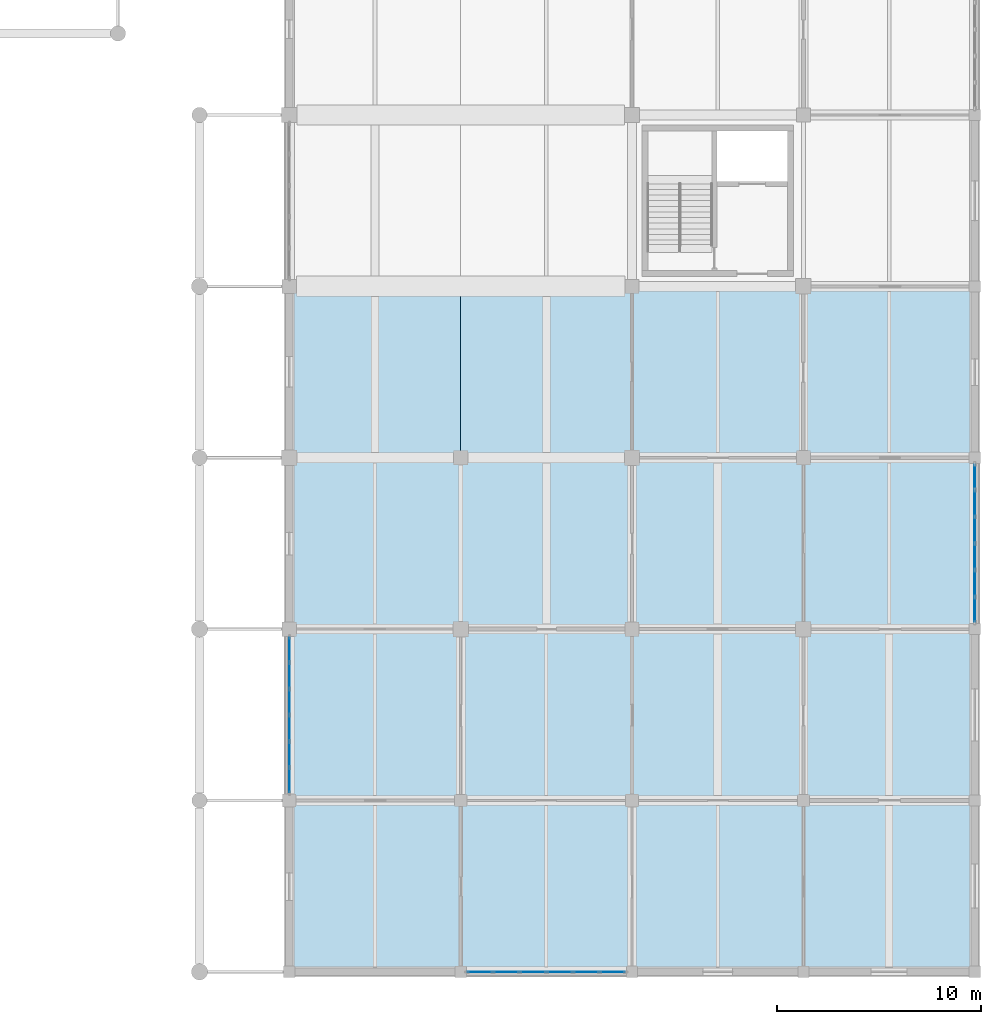
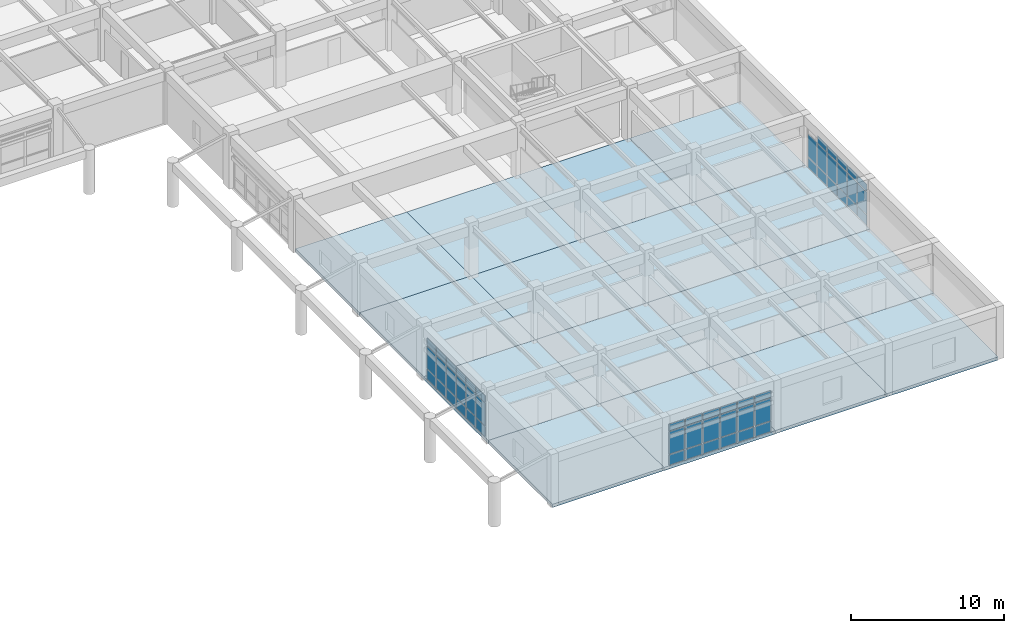
# One storey, part 73 of 99: 53 plates, 16 slabs, 3 elements without a shape of their own.
"""IFC4 building model written with IfcOpenShell, lengths in metres."""

import ifcopenshell
import ifcopenshell.guid

model = None  # the IFC model being written
_history = None  # IfcOwnerHistory: only IFC2X3 demands one
_inside = {}  # id of a spatial element -> (the spatial element, [elements in it])
_under = {}  # id of a project, library or spatial element -> (it, [spatial elements below it])
_declared = {}  # id of a project -> (the project, [libraries it declares])
_typed = {}  # id of a type object -> (the type object, [elements of that type])
_made_of = {}  # id of a material, layer set ... -> (it, [elements and type objects made of it])


def new_model(schema):
    """Start an empty IFC model of exactly this schema.

    Asked for "IFC4X3", IfcOpenShell would pick the latest addendum, in which some entities
    have other attributes; the version numbers below select the first issue.
    IFC2X3 requires an IfcOwnerHistory on every rooted entity: one is made here for all.
    """
    global model, _history
    if schema == "IFC4X3":
        model = ifcopenshell.file(schema_version=(4, 3, 0, 0))
    else:
        model = ifcopenshell.file(schema=schema)
    _inside.clear()
    _under.clear()
    _declared.clear()
    _typed.clear()
    _made_of.clear()
    _history = None
    if model.schema == "IFC2X3":
        org = make("IfcOrganization", Name="unknown")
        user = make(
            "IfcPersonAndOrganization",
            ThePerson=make("IfcPerson", FamilyName="unknown"),
            TheOrganization=org,
        )
        app = make(
            "IfcApplication",
            ApplicationDeveloper=org,
            Version="unknown",
            ApplicationFullName="unknown",
            ApplicationIdentifier="unknown",
        )
        _history = make(
            "IfcOwnerHistory",
            OwningUser=user,
            OwningApplication=app,
            ChangeAction="ADDED",
            CreationDate=0,
        )
    return model


def make(cls, **values):
    """One entity of the class cls with the attributes given. An attribute that is None is left unset."""
    return model.create_entity(
        cls, **{name: value for name, value in values.items() if value is not None}
    )


def rooted(cls, **values):
    """An entity with a GlobalId (a new one), such as an element, a storey or a relation."""
    return make(cls, GlobalId=ifcopenshell.guid.new(), OwnerHistory=_history, **values)


def si_unit(unit_type, name, prefix=None):
    """IfcSIUnit, for example si_unit("LENGTHUNIT", "METRE", prefix="MILLI")."""
    return make("IfcSIUnit", UnitType=unit_type, Prefix=prefix, Name=name)


def assignment(units):
    """IfcUnitAssignment: the units of a project."""
    return None if units is None else make("IfcUnitAssignment", Units=units)


def point(xyz):
    """IfcCartesianPoint."""
    return None if xyz is None else make("IfcCartesianPoint", Coordinates=xyz)


def direction(xyz):
    """IfcDirection."""
    return None if xyz is None else make("IfcDirection", DirectionRatios=xyz)


def frame(location, z_axis=None, x_axis=None):
    """IfcAxis2Placement3D, a coordinate frame: its origin and axes. An axis left out is left unset."""
    return make(
        "IfcAxis2Placement3D",
        Location=point(location),
        Axis=direction(z_axis),
        RefDirection=direction(x_axis),
    )


def frame_2d(location, x_axis=None):
    """IfcAxis2Placement2D, a coordinate frame in the plane: its origin and x axis."""
    return make(
        "IfcAxis2Placement2D", Location=point(location), RefDirection=direction(x_axis)
    )


def origin():
    """The frame at (0, 0, 0) with its axes left unset."""
    return frame((0.0, 0.0, 0.0))


def origin_2d():
    """The frame at (0, 0) in the plane with its x axis left unset."""
    return frame_2d((0.0, 0.0))


def place(relative_to, where):
    """IfcLocalPlacement: puts the frame where relative to a parent placement (None: the world)."""
    return make(
        "IfcLocalPlacement", PlacementRelTo=relative_to, RelativePlacement=where
    )


def context(
    kind, dimensions, precision=None, world=None, true_north=None, identifier=None
):
    """IfcGeometricRepresentationContext, for example the 3D "Model" context."""
    return make(
        "IfcGeometricRepresentationContext",
        ContextIdentifier=identifier,
        ContextType=kind,
        CoordinateSpaceDimension=dimensions,
        Precision=precision,
        WorldCoordinateSystem=world,
        TrueNorth=true_north,
    )


def subcontext(parent, identifier, kind, view, scale=None):
    """IfcGeometricRepresentationSubContext, for example "Body" below "Model"."""
    return make(
        "IfcGeometricRepresentationSubContext",
        ContextIdentifier=identifier,
        ContextType=kind,
        ParentContext=parent,
        TargetScale=scale,
        TargetView=view,
    )


def project(units=None, contexts=None):
    """IfcProject with its units and contexts."""
    return rooted(
        "IfcProject",
        Name="project",
        RepresentationContexts=contexts,
        UnitsInContext=assignment(units),
    )


def spatial(cls, under=None, at=None, **own):
    """A site, building, storey or space (cls), placed at a placement, below another one or the project."""
    s = rooted(cls, ObjectPlacement=at, **own)
    if under is not None:
        _under.setdefault(under.id(), (under, []))[1].append(s)
    return s


def polyline(points):
    """IfcPolyline through the points."""
    return make("IfcPolyline", Points=[point(p) for p in points])


def profile(cls, at=None, kind="AREA", **sizes):
    """A parametric profile (cls). Its sizes go by their IFC names, for example OverallWidth=200.0."""
    return make(cls, ProfileType=kind, Position=at, **sizes)


def rectangle(**sizes):
    """IfcRectangleProfileDef."""
    return profile("IfcRectangleProfileDef", **sizes)


def outline(outer, holes=None, kind="AREA"):
    """IfcArbitraryClosedProfileDef: a profile drawn as a closed curve; with holes, ...WithVoids."""
    if holes is None:
        return make("IfcArbitraryClosedProfileDef", ProfileType=kind, OuterCurve=outer)
    return make(
        "IfcArbitraryProfileDefWithVoids",
        ProfileType=kind,
        OuterCurve=outer,
        InnerCurves=holes,
    )


def extrude(swept, where, along, depth):
    """IfcExtrudedAreaSolid: the profile swept, set in the frame where, extruded along a direction by depth."""
    return make(
        "IfcExtrudedAreaSolid",
        SweptArea=swept,
        Position=where,
        ExtrudedDirection=direction(along),
        Depth=depth,
    )


def shape(context_of_items, identifier, shape_type, items):
    """IfcShapeRepresentation: the items that make up one representation, for example the "Body"."""
    return make(
        "IfcShapeRepresentation",
        ContextOfItems=context_of_items,
        RepresentationIdentifier=identifier,
        RepresentationType=shape_type,
        Items=items,
    )


def material(Name=None, Category=None):
    """IfcMaterial."""
    return make("IfcMaterial", Name=Name, Category=Category)


def layer(
    of_material, thickness, ventilated=None, Name=None, Category=None, Priority=None
):
    """IfcMaterialLayer: one layer of a wall or slab, of a material (None: an air gap)."""
    return make(
        "IfcMaterialLayer",
        Material=of_material,
        LayerThickness=thickness,
        IsVentilated=ventilated,
        Name=Name,
        Category=Category,
        Priority=Priority,
    )


def layer_set(layers, Name=None):
    """IfcMaterialLayerSet."""
    return make("IfcMaterialLayerSet", MaterialLayers=layers, LayerSetName=Name)


def made_of(thing, what):
    """Note that an element or type object is made of a material, layer set ...; save() writes the relation."""
    if what is not None:
        _made_of.setdefault(what.id(), (what, []))[1].append(thing)
    return thing


def type_object(cls, material=None, **own):
    """A type object (cls), such as IfcWallType, which elements share."""
    return made_of(rooted(cls, **own), material)


def element(
    cls,
    number,
    at=None,
    inside=None,
    cuts=None,
    type_object=None,
    material=None,
    context=None,
    identifier="Body",
    shape_type=None,
    held_by="IfcProductDefinitionShape",
    body=None,
    shapes=None,
    **own,
):
    """One element of the class cls, such as IfcWall. Its Tag is "e" and its number.

    at: its placement. inside: the storey or other place that contains it. cuts: it is an
    opening in that element (IfcRelVoidsElement). A single representation is given by context,
    identifier, shape_type and body (its items); several are given by shapes. held_by: the class
    of the entity that holds the representations. save() writes the other relations.
    """
    e = rooted(cls, Tag="e%d" % number, ObjectPlacement=at, **own)
    if body is not None:
        shapes = [shape(context, identifier, shape_type, body)]
    if shapes is not None:
        e.Representation = make(held_by, Representations=shapes)
    if inside is not None:
        _inside.setdefault(inside.id(), (inside, []))[1].append(e)
    if cuts is not None:
        rooted(
            "IfcRelVoidsElement", RelatingBuildingElement=cuts, RelatedOpeningElement=e
        )
    if type_object is not None:
        _typed.setdefault(type_object.id(), (type_object, []))[1].append(e)
    return made_of(e, material)


def aggregate(whole, parts):
    """IfcRelAggregates: a whole, such as a stair, and the parts it consists of."""
    return rooted("IfcRelAggregates", RelatingObject=whole, RelatedObjects=parts)


def save(model, path):
    """Write the relations noted so far, then the file.

    IfcRelAggregates (storeys below a building ...), IfcRelContainedInSpatialStructure (elements
    in a storey), IfcRelDefinesByType, IfcRelAssociatesMaterial and IfcRelDeclares: one each for
    every whole, place, type object, material and project.
    """
    for whole, parts in _under.values():
        aggregate(whole, parts)
    for where, things in _inside.values():
        rooted(
            "IfcRelContainedInSpatialStructure",
            RelatedElements=things,
            RelatingStructure=where,
        )
    for kind, things in _typed.values():
        rooted("IfcRelDefinesByType", RelatedObjects=things, RelatingType=kind)
    for what, things in _made_of.values():
        rooted("IfcRelAssociatesMaterial", RelatedObjects=things, RelatingMaterial=what)
    for by, libraries in _declared.values():
        rooted("IfcRelDeclares", RelatingContext=by, RelatedDefinitions=libraries)
    model.write(path)


model = new_model("IFC4")

# Units and contexts
model_context = context("Model", 3, precision=1e-05, world=origin(), true_north=direction((0.0, 1.0)))
body_context = subcontext(model_context, "Body", "Model", "MODEL_VIEW")
ifc_project = project(units=[si_unit("LENGTHUNIT", "METRE"), si_unit("AREAUNIT", "SQUARE_METRE"), si_unit("VOLUMEUNIT", "CUBIC_METRE"), si_unit("PLANEANGLEUNIT", "RADIAN"), si_unit("MASSUNIT", "GRAM", prefix="KILO")], contexts=[model_context])

# Site, building, storey
site_placement = place(None, origin())
site = spatial("IfcSite", under=ifc_project, at=site_placement, CompositionType="ELEMENT")
building_placement = place(site_placement, origin())
building = spatial("IfcBuilding", under=site, at=building_placement, Name="Porcellanite Civic Hall", CompositionType="ELEMENT")
storey_placement = place(building_placement, frame((0.0, 0.0, 5.760009765625)))
storey = spatial("IfcBuildingStorey", under=building, at=storey_placement, Name="L01", CompositionType="ELEMENT", Elevation=5.760009765625)

# Curtain wall, plates
ifc_material_1 = material(Name="Anodised aluminium and solar laminated glass", Category="aluminium")
ifc_layer_1 = layer(ifc_material_1, 0.179931640625)
ifc_layer_set_1 = layer_set([ifc_layer_1], Name="Anodised aluminium and solar laminated glass")
curtain_wall_type = type_object("IfcCurtainWallType", Name="CW-SYS02", PredefinedType="NOTDEFINED", material=ifc_layer_set_1)
curtain_wall_1_placement = place(storey_placement, origin())
curtain_wall_1 = element("IfcCurtainWall", 1, at=curtain_wall_1_placement, inside=storey, type_object=curtain_wall_type, Name="Curtain wall CW-119", PredefinedType="NOTDEFINED")
ifc_material_2 = material(Name="Cyclone laminated solar-control low-E glass", Category="glass")
ifc_layer_2 = layer(ifc_material_2, 0.02587890625)
ifc_layer_set_2 = layer_set([ifc_layer_2], Name="Cyclone laminated solar-control low-E glass")
plate_type = type_object("IfcPlateType", Name="CWP-02", PredefinedType="CURTAIN_PANEL", material=ifc_layer_set_2)
plate_1_placement = place(storey_placement, frame((142.800048828125, 9.388427734375, 0.06494140625), z_axis=(0.0, 0.0, 1.0), x_axis=(0.0, 1.0, 0.0)))
plate_1 = element("IfcPlate", 2, at=plate_1_placement, type_object=plate_type, Name="CW-119 panel 1.1", PredefinedType="CURTAIN_PANEL", context=body_context, shape_type="SweptSolid", body=[
    extrude(rectangle(XDim=1.174560546875, YDim=0.02587890625, at=origin_2d()), origin(), (0.0, 0.0, 1.0), 0.802490234375),
])
plate_2_placement = place(storey_placement, frame((142.800048828125, 9.388427734375, 0.9326171875), z_axis=(0.0, 0.0, 1.0), x_axis=(0.0, 1.0, 0.0)))
plate_2 = element("IfcPlate", 3, at=plate_2_placement, type_object=plate_type, Name="CW-119 panel 1.2", PredefinedType="CURTAIN_PANEL", context=body_context, shape_type="SweptSolid", body=[
    extrude(rectangle(XDim=1.174560546875, YDim=0.02587890625, at=origin_2d()), origin(), (0.0, 0.0, 1.0), 1.784912109375),
])
plate_3_placement = place(storey_placement, frame((142.800048828125, 9.388427734375, 2.78271484375), z_axis=(0.0, 0.0, 1.0), x_axis=(0.0, 1.0, 0.0)))
plate_3 = element("IfcPlate", 4, at=plate_3_placement, type_object=plate_type, Name="CW-119 panel 1.3", PredefinedType="CURTAIN_PANEL", context=body_context, shape_type="SweptSolid", body=[
    extrude(rectangle(XDim=1.174560546875, YDim=0.02587890625, at=origin_2d()), origin(), (0.0, 0.0, 1.0), 0.552490234375),
])
plate_4_placement = place(storey_placement, frame((142.800048828125, 10.65673828125, 0.06494140625), z_axis=(0.0, 0.0, 1.0), x_axis=(0.0, 1.0, 0.0)))
plate_4 = element("IfcPlate", 5, at=plate_4_placement, type_object=plate_type, Name="CW-119 panel 2.1", PredefinedType="CURTAIN_PANEL", context=body_context, shape_type="SweptSolid", body=[
    extrude(rectangle(XDim=1.212158203125, YDim=0.02587890625, at=origin_2d()), origin(), (0.0, 0.0, 1.0), 0.802490234375),
])
plate_5_placement = place(storey_placement, frame((142.800048828125, 10.65673828125, 0.9326171875), z_axis=(0.0, 0.0, 1.0), x_axis=(0.0, 1.0, 0.0)))
plate_5 = element("IfcPlate", 6, at=plate_5_placement, type_object=plate_type, Name="CW-119 panel 2.2", PredefinedType="CURTAIN_PANEL", context=body_context, shape_type="SweptSolid", body=[
    extrude(rectangle(XDim=1.212158203125, YDim=0.02587890625, at=origin_2d()), origin(), (0.0, 0.0, 1.0), 1.784912109375),
])
plate_6_placement = place(storey_placement, frame((142.800048828125, 10.65673828125, 2.78271484375), z_axis=(0.0, 0.0, 1.0), x_axis=(0.0, 1.0, 0.0)))
plate_6 = element("IfcPlate", 7, at=plate_6_placement, type_object=plate_type, Name="CW-119 panel 2.3", PredefinedType="CURTAIN_PANEL", context=body_context, shape_type="SweptSolid", body=[
    extrude(rectangle(XDim=1.212158203125, YDim=0.02587890625, at=origin_2d()), origin(), (0.0, 0.0, 1.0), 0.552490234375),
])
plate_7_placement = place(storey_placement, frame((142.800048828125, 11.94384765625, 0.06494140625), z_axis=(0.0, 0.0, 1.0), x_axis=(0.0, 1.0, 0.0)))
plate_7 = element("IfcPlate", 8, at=plate_7_placement, type_object=plate_type, Name="CW-119 panel 3.1", PredefinedType="CURTAIN_PANEL", context=body_context, shape_type="SweptSolid", body=[
    extrude(rectangle(XDim=1.212158203125, YDim=0.02587890625, at=origin_2d()), origin(), (0.0, 0.0, 1.0), 0.802490234375),
])
plate_8_placement = place(storey_placement, frame((142.800048828125, 11.94384765625, 0.9326171875), z_axis=(0.0, 0.0, 1.0), x_axis=(0.0, 1.0, 0.0)))
plate_8 = element("IfcPlate", 9, at=plate_8_placement, type_object=plate_type, Name="CW-119 panel 3.2", PredefinedType="CURTAIN_PANEL", context=body_context, shape_type="SweptSolid", body=[
    extrude(rectangle(XDim=1.212158203125, YDim=0.02587890625, at=origin_2d()), origin(), (0.0, 0.0, 1.0), 1.784912109375),
])
plate_9_placement = place(storey_placement, frame((142.800048828125, 11.94384765625, 2.78271484375), z_axis=(0.0, 0.0, 1.0), x_axis=(0.0, 1.0, 0.0)))
plate_9 = element("IfcPlate", 10, at=plate_9_placement, type_object=plate_type, Name="CW-119 panel 3.3", PredefinedType="CURTAIN_PANEL", context=body_context, shape_type="SweptSolid", body=[
    extrude(rectangle(XDim=1.212158203125, YDim=0.02587890625, at=origin_2d()), origin(), (0.0, 0.0, 1.0), 0.552490234375),
])
plate_10_placement = place(storey_placement, frame((142.800048828125, 13.231201171875, 0.06494140625), z_axis=(0.0, 0.0, 1.0), x_axis=(0.0, 1.0, 0.0)))
plate_10 = element("IfcPlate", 11, at=plate_10_placement, type_object=plate_type, Name="CW-119 panel 4.1", PredefinedType="CURTAIN_PANEL", context=body_context, shape_type="SweptSolid", body=[
    extrude(rectangle(XDim=1.212158203125, YDim=0.02587890625, at=origin_2d()), origin(), (0.0, 0.0, 1.0), 0.802490234375),
])
plate_11_placement = place(storey_placement, frame((142.800048828125, 13.231201171875, 0.9326171875), z_axis=(0.0, 0.0, 1.0), x_axis=(0.0, 1.0, 0.0)))
plate_11 = element("IfcPlate", 12, at=plate_11_placement, type_object=plate_type, Name="CW-119 panel 4.2", PredefinedType="CURTAIN_PANEL", context=body_context, shape_type="SweptSolid", body=[
    extrude(rectangle(XDim=1.212158203125, YDim=0.02587890625, at=origin_2d()), origin(), (0.0, 0.0, 1.0), 1.784912109375),
])
plate_12_placement = place(storey_placement, frame((142.800048828125, 13.231201171875, 2.78271484375), z_axis=(0.0, 0.0, 1.0), x_axis=(0.0, 1.0, 0.0)))
plate_12 = element("IfcPlate", 13, at=plate_12_placement, type_object=plate_type, Name="CW-119 panel 4.3", PredefinedType="CURTAIN_PANEL", context=body_context, shape_type="SweptSolid", body=[
    extrude(rectangle(XDim=1.212158203125, YDim=0.02587890625, at=origin_2d()), origin(), (0.0, 0.0, 1.0), 0.552490234375),
])
plate_13_placement = place(storey_placement, frame((142.800048828125, 14.518310546875, 0.06494140625), z_axis=(0.0, 0.0, 1.0), x_axis=(0.0, 1.0, 0.0)))
plate_13 = element("IfcPlate", 14, at=plate_13_placement, type_object=plate_type, Name="CW-119 panel 5.1", PredefinedType="CURTAIN_PANEL", context=body_context, shape_type="SweptSolid", body=[
    extrude(rectangle(XDim=1.212158203125, YDim=0.02587890625, at=origin_2d()), origin(), (0.0, 0.0, 1.0), 0.802490234375),
])
plate_14_placement = place(storey_placement, frame((142.800048828125, 14.518310546875, 0.9326171875), z_axis=(0.0, 0.0, 1.0), x_axis=(0.0, 1.0, 0.0)))
plate_14 = element("IfcPlate", 15, at=plate_14_placement, type_object=plate_type, Name="CW-119 panel 5.2", PredefinedType="CURTAIN_PANEL", context=body_context, shape_type="SweptSolid", body=[
    extrude(rectangle(XDim=1.212158203125, YDim=0.02587890625, at=origin_2d()), origin(), (0.0, 0.0, 1.0), 1.784912109375),
])
plate_15_placement = place(storey_placement, frame((142.800048828125, 14.518310546875, 2.78271484375), z_axis=(0.0, 0.0, 1.0), x_axis=(0.0, 1.0, 0.0)))
plate_15 = element("IfcPlate", 16, at=plate_15_placement, type_object=plate_type, Name="CW-119 panel 5.3", PredefinedType="CURTAIN_PANEL", context=body_context, shape_type="SweptSolid", body=[
    extrude(rectangle(XDim=1.212158203125, YDim=0.02587890625, at=origin_2d()), origin(), (0.0, 0.0, 1.0), 0.552490234375),
])
plate_16_placement = place(storey_placement, frame((142.800048828125, 15.78662109375, 0.06494140625), z_axis=(0.0, 0.0, 1.0), x_axis=(0.0, 1.0, 0.0)))
plate_16 = element("IfcPlate", 17, at=plate_16_placement, type_object=plate_type, Name="CW-119 panel 6.1", PredefinedType="CURTAIN_PANEL", context=body_context, shape_type="SweptSolid", body=[
    extrude(rectangle(XDim=1.174560546875, YDim=0.02587890625, at=origin_2d()), origin(), (0.0, 0.0, 1.0), 0.802490234375),
])
plate_17_placement = place(storey_placement, frame((142.800048828125, 15.78662109375, 0.9326171875), z_axis=(0.0, 0.0, 1.0), x_axis=(0.0, 1.0, 0.0)))
plate_17 = element("IfcPlate", 18, at=plate_17_placement, type_object=plate_type, Name="CW-119 panel 6.2", PredefinedType="CURTAIN_PANEL", context=body_context, shape_type="SweptSolid", body=[
    extrude(rectangle(XDim=1.174560546875, YDim=0.02587890625, at=origin_2d()), origin(), (0.0, 0.0, 1.0), 1.784912109375),
])
plate_18_placement = place(storey_placement, frame((142.800048828125, 15.78662109375, 2.78271484375), z_axis=(0.0, 0.0, 1.0), x_axis=(0.0, 1.0, 0.0)))
plate_18 = element("IfcPlate", 19, at=plate_18_placement, type_object=plate_type, Name="CW-119 panel 6.3", PredefinedType="CURTAIN_PANEL", context=body_context, shape_type="SweptSolid", body=[
    extrude(rectangle(XDim=1.174560546875, YDim=0.02587890625, at=origin_2d()), origin(), (0.0, 0.0, 1.0), 0.552490234375),
])
aggregate(curtain_wall_1, [plate_1, plate_2, plate_3, plate_4, plate_5, plate_6, plate_7, plate_8, plate_9, plate_10, plate_11, plate_12, plate_13, plate_14, plate_15, plate_16, plate_17, plate_18])

curtain_wall_2_placement = place(storey_placement, origin())
curtain_wall_2 = element("IfcCurtainWall", 20, at=curtain_wall_2_placement, inside=storey, type_object=curtain_wall_type, Name="Curtain wall CW-123", PredefinedType="NOTDEFINED")
plate_19_placement = place(storey_placement, frame((158.6513671875, 0.0, 0.06494140625), z_axis=(0.0, 0.0, 1.0), x_axis=(-1.0, 0.0, 0.0)))
plate_19 = element("IfcPlate", 21, at=plate_19_placement, type_object=plate_type, Name="CW-123 panel 1.1", PredefinedType="CURTAIN_PANEL", context=body_context, shape_type="SweptSolid", body=[
    extrude(rectangle(XDim=1.195556640625, YDim=0.02587890625, at=origin_2d()), origin(), (0.0, 0.0, 1.0), 0.802490234375),
])
plate_20_placement = place(storey_placement, frame((158.6513671875, 0.0, 0.9326171875), z_axis=(0.0, 0.0, 1.0), x_axis=(-1.0, 0.0, 0.0)))
plate_20 = element("IfcPlate", 22, at=plate_20_placement, type_object=plate_type, Name="CW-123 panel 1.2", PredefinedType="CURTAIN_PANEL", context=body_context, shape_type="SweptSolid", body=[
    extrude(rectangle(XDim=1.195556640625, YDim=0.02587890625, at=origin_2d()), origin(), (0.0, 0.0, 1.0), 1.784912109375),
])
plate_21_placement = place(storey_placement, frame((158.6513671875, 0.0, 2.78271484375), z_axis=(0.0, 0.0, 1.0), x_axis=(-1.0, 0.0, 0.0)))
plate_21 = element("IfcPlate", 23, at=plate_21_placement, type_object=plate_type, Name="CW-123 panel 1.3", PredefinedType="CURTAIN_PANEL", context=body_context, shape_type="SweptSolid", body=[
    extrude(rectangle(XDim=1.195556640625, YDim=0.02587890625, at=origin_2d()), origin(), (0.0, 0.0, 1.0), 0.552490234375),
])
plate_22_placement = place(storey_placement, frame((157.362060546875, 0.0, 0.06494140625), z_axis=(0.0, 0.0, 1.0), x_axis=(-1.0, 0.0, 0.0)))
plate_22 = element("IfcPlate", 24, at=plate_22_placement, type_object=plate_type, Name="CW-123 panel 2.1", PredefinedType="CURTAIN_PANEL", context=body_context, shape_type="SweptSolid", body=[
    extrude(rectangle(XDim=1.23291015625, YDim=0.02587890625, at=origin_2d()), origin(), (0.0, 0.0, 1.0), 0.802490234375),
])
plate_23_placement = place(storey_placement, frame((157.362060546875, 0.0, 0.9326171875), z_axis=(0.0, 0.0, 1.0), x_axis=(-1.0, 0.0, 0.0)))
plate_23 = element("IfcPlate", 25, at=plate_23_placement, type_object=plate_type, Name="CW-123 panel 2.2", PredefinedType="CURTAIN_PANEL", context=body_context, shape_type="SweptSolid", body=[
    extrude(rectangle(XDim=1.23291015625, YDim=0.02587890625, at=origin_2d()), origin(), (0.0, 0.0, 1.0), 1.784912109375),
])
plate_24_placement = place(storey_placement, frame((157.362060546875, 0.0, 2.78271484375), z_axis=(0.0, 0.0, 1.0), x_axis=(-1.0, 0.0, 0.0)))
plate_24 = element("IfcPlate", 26, at=plate_24_placement, type_object=plate_type, Name="CW-123 panel 2.3", PredefinedType="CURTAIN_PANEL", context=body_context, shape_type="SweptSolid", body=[
    extrude(rectangle(XDim=1.23291015625, YDim=0.02587890625, at=origin_2d()), origin(), (0.0, 0.0, 1.0), 0.552490234375),
])
plate_25_placement = place(storey_placement, frame((156.053955078125, 0.0, 0.06494140625), z_axis=(0.0, 0.0, 1.0), x_axis=(-1.0, 0.0, 0.0)))
plate_25 = element("IfcPlate", 27, at=plate_25_placement, type_object=plate_type, Name="CW-123 panel 3.1", PredefinedType="CURTAIN_PANEL", context=body_context, shape_type="SweptSolid", body=[
    extrude(rectangle(XDim=1.23291015625, YDim=0.02587890625, at=origin_2d()), origin(), (0.0, 0.0, 1.0), 0.802490234375),
])
plate_26_placement = place(storey_placement, frame((156.053955078125, 0.0, 0.9326171875), z_axis=(0.0, 0.0, 1.0), x_axis=(-1.0, 0.0, 0.0)))
plate_26 = element("IfcPlate", 28, at=plate_26_placement, type_object=plate_type, Name="CW-123 panel 3.2", PredefinedType="CURTAIN_PANEL", context=body_context, shape_type="SweptSolid", body=[
    extrude(rectangle(XDim=1.23291015625, YDim=0.02587890625, at=origin_2d()), origin(), (0.0, 0.0, 1.0), 1.784912109375),
])
plate_27_placement = place(storey_placement, frame((156.053955078125, 0.0, 2.78271484375), z_axis=(0.0, 0.0, 1.0), x_axis=(-1.0, 0.0, 0.0)))
plate_27 = element("IfcPlate", 29, at=plate_27_placement, type_object=plate_type, Name="CW-123 panel 3.3", PredefinedType="CURTAIN_PANEL", context=body_context, shape_type="SweptSolid", body=[
    extrude(rectangle(XDim=1.23291015625, YDim=0.02587890625, at=origin_2d()), origin(), (0.0, 0.0, 1.0), 0.552490234375),
])
plate_28_placement = place(storey_placement, frame((154.74609375, 0.0, 0.06494140625), z_axis=(0.0, 0.0, 1.0), x_axis=(-1.0, 0.0, 0.0)))
plate_28 = element("IfcPlate", 30, at=plate_28_placement, type_object=plate_type, Name="CW-123 panel 4.1", PredefinedType="CURTAIN_PANEL", context=body_context, shape_type="SweptSolid", body=[
    extrude(rectangle(XDim=1.23291015625, YDim=0.02587890625, at=origin_2d()), origin(), (0.0, 0.0, 1.0), 0.802490234375),
])
plate_29_placement = place(storey_placement, frame((154.74609375, 0.0, 0.9326171875), z_axis=(0.0, 0.0, 1.0), x_axis=(-1.0, 0.0, 0.0)))
plate_29 = element("IfcPlate", 31, at=plate_29_placement, type_object=plate_type, Name="CW-123 panel 4.2", PredefinedType="CURTAIN_PANEL", context=body_context, shape_type="SweptSolid", body=[
    extrude(rectangle(XDim=1.23291015625, YDim=0.02587890625, at=origin_2d()), origin(), (0.0, 0.0, 1.0), 1.784912109375),
])
plate_30_placement = place(storey_placement, frame((154.74609375, 0.0, 2.78271484375), z_axis=(0.0, 0.0, 1.0), x_axis=(-1.0, 0.0, 0.0)))
plate_30 = element("IfcPlate", 32, at=plate_30_placement, type_object=plate_type, Name="CW-123 panel 4.3", PredefinedType="CURTAIN_PANEL", context=body_context, shape_type="SweptSolid", body=[
    extrude(rectangle(XDim=1.23291015625, YDim=0.02587890625, at=origin_2d()), origin(), (0.0, 0.0, 1.0), 0.552490234375),
])
plate_31_placement = place(storey_placement, frame((153.43798828125, 0.0, 0.06494140625), z_axis=(0.0, 0.0, 1.0), x_axis=(-1.0, 0.0, 0.0)))
plate_31 = element("IfcPlate", 33, at=plate_31_placement, type_object=plate_type, Name="CW-123 panel 5.1", PredefinedType="CURTAIN_PANEL", context=body_context, shape_type="SweptSolid", body=[
    extrude(rectangle(XDim=1.23291015625, YDim=0.02587890625, at=origin_2d()), origin(), (0.0, 0.0, 1.0), 0.802490234375),
])
plate_32_placement = place(storey_placement, frame((153.43798828125, 0.0, 0.9326171875), z_axis=(0.0, 0.0, 1.0), x_axis=(-1.0, 0.0, 0.0)))
plate_32 = element("IfcPlate", 34, at=plate_32_placement, type_object=plate_type, Name="CW-123 panel 5.2", PredefinedType="CURTAIN_PANEL", context=body_context, shape_type="SweptSolid", body=[
    extrude(rectangle(XDim=1.23291015625, YDim=0.02587890625, at=origin_2d()), origin(), (0.0, 0.0, 1.0), 1.784912109375),
])
plate_33_placement = place(storey_placement, frame((153.43798828125, 0.0, 2.78271484375), z_axis=(0.0, 0.0, 1.0), x_axis=(-1.0, 0.0, 0.0)))
plate_33 = element("IfcPlate", 35, at=plate_33_placement, type_object=plate_type, Name="CW-123 panel 5.3", PredefinedType="CURTAIN_PANEL", context=body_context, shape_type="SweptSolid", body=[
    extrude(rectangle(XDim=1.23291015625, YDim=0.02587890625, at=origin_2d()), origin(), (0.0, 0.0, 1.0), 0.552490234375),
])
plate_34_placement = place(storey_placement, frame((152.148681640625, 0.0, 0.06494140625), z_axis=(0.0, 0.0, 1.0), x_axis=(-1.0, 0.0, 0.0)))
plate_34 = element("IfcPlate", 36, at=plate_34_placement, type_object=plate_type, Name="CW-123 panel 6.1", PredefinedType="CURTAIN_PANEL", context=body_context, shape_type="SweptSolid", body=[
    extrude(rectangle(XDim=1.195556640625, YDim=0.02587890625, at=origin_2d()), origin(), (0.0, 0.0, 1.0), 0.802490234375),
])
plate_35_placement = place(storey_placement, frame((152.148681640625, 0.0, 0.9326171875), z_axis=(0.0, 0.0, 1.0), x_axis=(-1.0, 0.0, 0.0)))
plate_35 = element("IfcPlate", 37, at=plate_35_placement, type_object=plate_type, Name="CW-123 panel 6.2", PredefinedType="CURTAIN_PANEL", context=body_context, shape_type="SweptSolid", body=[
    extrude(rectangle(XDim=1.195556640625, YDim=0.02587890625, at=origin_2d()), origin(), (0.0, 0.0, 1.0), 1.784912109375),
])
plate_36_placement = place(storey_placement, frame((152.148681640625, 0.0, 2.78271484375), z_axis=(0.0, 0.0, 1.0), x_axis=(-1.0, 0.0, 0.0)))
plate_36 = element("IfcPlate", 38, at=plate_36_placement, type_object=plate_type, Name="CW-123 panel 6.3", PredefinedType="CURTAIN_PANEL", context=body_context, shape_type="SweptSolid", body=[
    extrude(rectangle(XDim=1.195556640625, YDim=0.02587890625, at=origin_2d()), origin(), (0.0, 0.0, 1.0), 0.552490234375),
])
aggregate(curtain_wall_2, [plate_19, plate_20, plate_21, plate_22, plate_23, plate_24, plate_25, plate_26, plate_27, plate_28, plate_29, plate_30, plate_31, plate_32, plate_33, plate_34, plate_35, plate_36])

curtain_wall_3_placement = place(storey_placement, origin())
curtain_wall_3 = element("IfcCurtainWall", 39, at=curtain_wall_3_placement, inside=storey, type_object=curtain_wall_type, Name="Curtain wall CW-129", PredefinedType="NOTDEFINED")
plate_37_placement = place(storey_placement, frame((176.39990234375, 24.251220703125, 0.06494140625), z_axis=(0.0, 0.0, 1.0), x_axis=(0.0, -1.0, 0.0)))
plate_37 = element("IfcPlate", 40, at=plate_37_placement, type_object=plate_type, Name="CW-129 panel 1.1", PredefinedType="CURTAIN_PANEL", context=body_context, shape_type="SweptSolid", body=[
    extrude(rectangle(XDim=1.195556640625, YDim=0.02587890625, at=origin_2d()), origin(), (0.0, 0.0, 1.0), 0.802490234375),
])
plate_38_placement = place(storey_placement, frame((176.39990234375, 24.251220703125, 0.9326171875), z_axis=(0.0, 0.0, 1.0), x_axis=(0.0, -1.0, 0.0)))
plate_38 = element("IfcPlate", 41, at=plate_38_placement, type_object=plate_type, Name="CW-129 panel 1.2", PredefinedType="CURTAIN_PANEL", context=body_context, shape_type="SweptSolid", body=[
    extrude(rectangle(XDim=1.195556640625, YDim=0.02587890625, at=origin_2d()), origin(), (0.0, 0.0, 1.0), 1.784912109375),
])
plate_39_placement = place(storey_placement, frame((176.39990234375, 22.9619140625, 0.06494140625), z_axis=(0.0, 0.0, 1.0), x_axis=(0.0, -1.0, 0.0)))
plate_39 = element("IfcPlate", 42, at=plate_39_placement, type_object=plate_type, Name="CW-129 panel 2.1", PredefinedType="CURTAIN_PANEL", context=body_context, shape_type="SweptSolid", body=[
    extrude(rectangle(XDim=1.23291015625, YDim=0.02587890625, at=origin_2d()), origin(), (0.0, 0.0, 1.0), 0.802490234375),
])
plate_40_placement = place(storey_placement, frame((176.39990234375, 22.9619140625, 0.9326171875), z_axis=(0.0, 0.0, 1.0), x_axis=(0.0, -1.0, 0.0)))
plate_40 = element("IfcPlate", 43, at=plate_40_placement, type_object=plate_type, Name="CW-129 panel 2.2", PredefinedType="CURTAIN_PANEL", context=body_context, shape_type="SweptSolid", body=[
    extrude(rectangle(XDim=1.23291015625, YDim=0.02587890625, at=origin_2d()), origin(), (0.0, 0.0, 1.0), 1.784912109375),
])
plate_41_placement = place(storey_placement, frame((176.39990234375, 22.9619140625, 2.78271484375), z_axis=(0.0, 0.0, 1.0), x_axis=(0.0, -1.0, 0.0)))
plate_41 = element("IfcPlate", 44, at=plate_41_placement, type_object=plate_type, Name="CW-129 panel 2.3", PredefinedType="CURTAIN_PANEL", context=body_context, shape_type="SweptSolid", body=[
    extrude(rectangle(XDim=1.23291015625, YDim=0.02587890625, at=origin_2d()), origin(), (0.0, 0.0, 1.0), 0.552490234375),
])
plate_42_placement = place(storey_placement, frame((176.39990234375, 21.654052734375, 0.06494140625), z_axis=(0.0, 0.0, 1.0), x_axis=(0.0, -1.0, 0.0)))
plate_42 = element("IfcPlate", 45, at=plate_42_placement, type_object=plate_type, Name="CW-129 panel 3.1", PredefinedType="CURTAIN_PANEL", context=body_context, shape_type="SweptSolid", body=[
    extrude(rectangle(XDim=1.23291015625, YDim=0.02587890625, at=origin_2d()), origin(), (0.0, 0.0, 1.0), 0.802490234375),
])
plate_43_placement = place(storey_placement, frame((176.39990234375, 21.654052734375, 0.9326171875), z_axis=(0.0, 0.0, 1.0), x_axis=(0.0, -1.0, 0.0)))
plate_43 = element("IfcPlate", 46, at=plate_43_placement, type_object=plate_type, Name="CW-129 panel 3.2", PredefinedType="CURTAIN_PANEL", context=body_context, shape_type="SweptSolid", body=[
    extrude(rectangle(XDim=1.23291015625, YDim=0.02587890625, at=origin_2d()), origin(), (0.0, 0.0, 1.0), 1.784912109375),
])
plate_44_placement = place(storey_placement, frame((176.39990234375, 21.654052734375, 2.78271484375), z_axis=(0.0, 0.0, 1.0), x_axis=(0.0, -1.0, 0.0)))
plate_44 = element("IfcPlate", 47, at=plate_44_placement, type_object=plate_type, Name="CW-129 panel 3.3", PredefinedType="CURTAIN_PANEL", context=body_context, shape_type="SweptSolid", body=[
    extrude(rectangle(XDim=1.23291015625, YDim=0.02587890625, at=origin_2d()), origin(), (0.0, 0.0, 1.0), 0.552490234375),
])
plate_45_placement = place(storey_placement, frame((176.39990234375, 20.345947265625, 0.06494140625), z_axis=(0.0, 0.0, 1.0), x_axis=(0.0, -1.0, 0.0)))
plate_45 = element("IfcPlate", 48, at=plate_45_placement, type_object=plate_type, Name="CW-129 panel 4.1", PredefinedType="CURTAIN_PANEL", context=body_context, shape_type="SweptSolid", body=[
    extrude(rectangle(XDim=1.23291015625, YDim=0.02587890625, at=origin_2d()), origin(), (0.0, 0.0, 1.0), 0.802490234375),
])
plate_46_placement = place(storey_placement, frame((176.39990234375, 20.345947265625, 0.9326171875), z_axis=(0.0, 0.0, 1.0), x_axis=(0.0, -1.0, 0.0)))
plate_46 = element("IfcPlate", 49, at=plate_46_placement, type_object=plate_type, Name="CW-129 panel 4.2", PredefinedType="CURTAIN_PANEL", context=body_context, shape_type="SweptSolid", body=[
    extrude(rectangle(XDim=1.23291015625, YDim=0.02587890625, at=origin_2d()), origin(), (0.0, 0.0, 1.0), 1.784912109375),
])
plate_47_placement = place(storey_placement, frame((176.39990234375, 20.345947265625, 2.78271484375), z_axis=(0.0, 0.0, 1.0), x_axis=(0.0, -1.0, 0.0)))
plate_47 = element("IfcPlate", 50, at=plate_47_placement, type_object=plate_type, Name="CW-129 panel 4.3", PredefinedType="CURTAIN_PANEL", context=body_context, shape_type="SweptSolid", body=[
    extrude(rectangle(XDim=1.23291015625, YDim=0.02587890625, at=origin_2d()), origin(), (0.0, 0.0, 1.0), 0.552490234375),
])
plate_48_placement = place(storey_placement, frame((176.39990234375, 19.0380859375, 0.06494140625), z_axis=(0.0, 0.0, 1.0), x_axis=(0.0, -1.0, 0.0)))
plate_48 = element("IfcPlate", 51, at=plate_48_placement, type_object=plate_type, Name="CW-129 panel 5.1", PredefinedType="CURTAIN_PANEL", context=body_context, shape_type="SweptSolid", body=[
    extrude(rectangle(XDim=1.23291015625, YDim=0.02587890625, at=origin_2d()), origin(), (0.0, 0.0, 1.0), 0.802490234375),
])
plate_49_placement = place(storey_placement, frame((176.39990234375, 19.0380859375, 0.9326171875), z_axis=(0.0, 0.0, 1.0), x_axis=(0.0, -1.0, 0.0)))
plate_49 = element("IfcPlate", 52, at=plate_49_placement, type_object=plate_type, Name="CW-129 panel 5.2", PredefinedType="CURTAIN_PANEL", context=body_context, shape_type="SweptSolid", body=[
    extrude(rectangle(XDim=1.23291015625, YDim=0.02587890625, at=origin_2d()), origin(), (0.0, 0.0, 1.0), 1.784912109375),
])
plate_50_placement = place(storey_placement, frame((176.39990234375, 19.0380859375, 2.78271484375), z_axis=(0.0, 0.0, 1.0), x_axis=(0.0, -1.0, 0.0)))
plate_50 = element("IfcPlate", 53, at=plate_50_placement, type_object=plate_type, Name="CW-129 panel 5.3", PredefinedType="CURTAIN_PANEL", context=body_context, shape_type="SweptSolid", body=[
    extrude(rectangle(XDim=1.23291015625, YDim=0.02587890625, at=origin_2d()), origin(), (0.0, 0.0, 1.0), 0.552490234375),
])
plate_51_placement = place(storey_placement, frame((176.39990234375, 17.748779296875, 0.06494140625), z_axis=(0.0, 0.0, 1.0), x_axis=(0.0, -1.0, 0.0)))
plate_51 = element("IfcPlate", 54, at=plate_51_placement, type_object=plate_type, Name="CW-129 panel 6.1", PredefinedType="CURTAIN_PANEL", context=body_context, shape_type="SweptSolid", body=[
    extrude(rectangle(XDim=1.195556640625, YDim=0.02587890625, at=origin_2d()), origin(), (0.0, 0.0, 1.0), 0.802490234375),
])
plate_52_placement = place(storey_placement, frame((176.39990234375, 17.748779296875, 0.9326171875), z_axis=(0.0, 0.0, 1.0), x_axis=(0.0, -1.0, 0.0)))
plate_52 = element("IfcPlate", 55, at=plate_52_placement, type_object=plate_type, Name="CW-129 panel 6.2", PredefinedType="CURTAIN_PANEL", context=body_context, shape_type="SweptSolid", body=[
    extrude(rectangle(XDim=1.195556640625, YDim=0.02587890625, at=origin_2d()), origin(), (0.0, 0.0, 1.0), 1.784912109375),
])
plate_53_placement = place(storey_placement, frame((176.39990234375, 17.748779296875, 2.78271484375), z_axis=(0.0, 0.0, 1.0), x_axis=(0.0, -1.0, 0.0)))
plate_53 = element("IfcPlate", 56, at=plate_53_placement, type_object=plate_type, Name="CW-129 panel 6.3", PredefinedType="CURTAIN_PANEL", context=body_context, shape_type="SweptSolid", body=[
    extrude(rectangle(XDim=1.195556640625, YDim=0.02587890625, at=origin_2d()), origin(), (0.0, 0.0, 1.0), 0.552490234375),
])
aggregate(curtain_wall_3, [plate_37, plate_38, plate_39, plate_40, plate_41, plate_42, plate_43, plate_44, plate_45, plate_46, plate_47, plate_48, plate_49, plate_50, plate_51, plate_52, plate_53])

# Slabs
ifc_material_3 = material(Name="Concrete N40 (40 MPa)", Category="concrete")
ifc_layer_3 = layer(ifc_material_3, 0.25)
ifc_layer_set_3 = layer_set([ifc_layer_3], Name="Concrete N40 (40 MPa)")
slab_type_1 = type_object("IfcSlabType", Name="SL-FL250", PredefinedType="FLOOR", material=ifc_layer_set_3)
slab_1_placement = place(storey_placement, frame((0.0, 0.0, -0.25)))
element("IfcSlab", 57, at=slab_1_placement, inside=storey, type_object=slab_type_1, Name="Slab L01 bay 18-1", PredefinedType="FLOOR", context=body_context, shape_type="SweptSolid", body=[
    extrude(outline(polyline([(142.800048828125, 0.0), (151.199951171875, 0.0), (151.199951171875, 8.39990234375), (142.800048828125, 8.39990234375), (142.800048828125, 0.0)])), origin(), (0.0, 0.0, 1.0), 0.25),
])
slab_2_placement = place(storey_placement, frame((0.0, 0.0, -0.25)))
element("IfcSlab", 58, at=slab_2_placement, inside=storey, type_object=slab_type_1, Name="Slab L01 bay 18-3", PredefinedType="FLOOR", context=body_context, shape_type="SweptSolid", body=[
    extrude(outline(polyline([(142.800048828125, 16.800048828125), (151.199951171875, 16.800048828125), (151.199951171875, 25.199951171875), (142.800048828125, 25.199951171875), (142.800048828125, 16.800048828125)])), origin(), (0.0, 0.0, 1.0), 0.25),
])
slab_3_placement = place(storey_placement, frame((0.0, 0.0, -0.25)))
element("IfcSlab", 59, at=slab_3_placement, inside=storey, type_object=slab_type_1, Name="Slab L01 bay 18-4", PredefinedType="FLOOR", context=body_context, shape_type="SweptSolid", body=[
    extrude(outline(polyline([(142.800048828125, 25.199951171875), (151.199951171875, 25.199951171875), (151.199951171875, 33.60009765625), (142.800048828125, 33.60009765625), (142.800048828125, 25.199951171875)])), origin(), (0.0, 0.0, 1.0), 0.25),
])
slab_4_placement = place(storey_placement, frame((0.0, 0.0, -0.25)))
element("IfcSlab", 60, at=slab_4_placement, inside=storey, type_object=slab_type_1, Name="Slab L01 bay 19-2", PredefinedType="FLOOR", context=body_context, shape_type="SweptSolid", body=[
    extrude(outline(polyline([(151.199951171875, 8.39990234375), (159.60009765625, 8.39990234375), (159.60009765625, 16.800048828125), (151.199951171875, 16.800048828125), (151.199951171875, 8.39990234375)])), origin(), (0.0, 0.0, 1.0), 0.25),
])
slab_5_placement = place(storey_placement, frame((0.0, 0.0, -0.25)))
element("IfcSlab", 61, at=slab_5_placement, inside=storey, type_object=slab_type_1, Name="Slab L01 bay 19-3", PredefinedType="FLOOR", context=body_context, shape_type="SweptSolid", body=[
    extrude(outline(polyline([(151.199951171875, 16.800048828125), (159.60009765625, 16.800048828125), (159.60009765625, 25.199951171875), (151.199951171875, 25.199951171875), (151.199951171875, 16.800048828125)])), origin(), (0.0, 0.0, 1.0), 0.25),
])
slab_6_placement = place(storey_placement, frame((0.0, 0.0, -0.25)))
element("IfcSlab", 62, at=slab_6_placement, inside=storey, type_object=slab_type_1, Name="Slab L01 bay 20-1", PredefinedType="FLOOR", context=body_context, shape_type="SweptSolid", body=[
    extrude(outline(polyline([(159.60009765625, 0.0), (168.0, 0.0), (168.0, 8.39990234375), (159.60009765625, 8.39990234375), (159.60009765625, 0.0)])), origin(), (0.0, 0.0, 1.0), 0.25),
])
slab_7_placement = place(storey_placement, frame((0.0, 0.0, -0.25)))
element("IfcSlab", 63, at=slab_7_placement, inside=storey, type_object=slab_type_1, Name="Slab L01 bay 20-2", PredefinedType="FLOOR", context=body_context, shape_type="SweptSolid", body=[
    extrude(outline(polyline([(159.60009765625, 8.39990234375), (168.0, 8.39990234375), (168.0, 16.800048828125), (159.60009765625, 16.800048828125), (159.60009765625, 8.39990234375)])), origin(), (0.0, 0.0, 1.0), 0.25),
])
slab_8_placement = place(storey_placement, frame((0.0, 0.0, -0.25)))
element("IfcSlab", 64, at=slab_8_placement, inside=storey, type_object=slab_type_1, Name="Slab L01 bay 20-4", PredefinedType="FLOOR", context=body_context, shape_type="SweptSolid", body=[
    extrude(outline(polyline([(159.60009765625, 25.199951171875), (168.0, 25.199951171875), (168.0, 33.60009765625), (159.60009765625, 33.60009765625), (159.60009765625, 25.199951171875)])), origin(), (0.0, 0.0, 1.0), 0.25),
])
slab_9_placement = place(storey_placement, frame((0.0, 0.0, -0.25)))
element("IfcSlab", 65, at=slab_9_placement, inside=storey, type_object=slab_type_1, Name="Slab L01 bay 21-1", PredefinedType="FLOOR", context=body_context, shape_type="SweptSolid", body=[
    extrude(outline(polyline([(168.0, 0.0), (176.39990234375, 0.0), (176.39990234375, 8.39990234375), (168.0, 8.39990234375), (168.0, 0.0)])), origin(), (0.0, 0.0, 1.0), 0.25),
])
slab_10_placement = place(storey_placement, frame((0.0, 0.0, -0.25)))
element("IfcSlab", 66, at=slab_10_placement, inside=storey, type_object=slab_type_1, Name="Slab L01 bay 21-3", PredefinedType="FLOOR", context=body_context, shape_type="SweptSolid", body=[
    extrude(outline(polyline([(168.0, 16.800048828125), (176.39990234375, 16.800048828125), (176.39990234375, 25.199951171875), (168.0, 25.199951171875), (168.0, 16.800048828125)])), origin(), (0.0, 0.0, 1.0), 0.25),
])
slab_11_placement = place(storey_placement, frame((0.0, 0.0, -0.25)))
element("IfcSlab", 67, at=slab_11_placement, inside=storey, type_object=slab_type_1, Name="Slab L01 bay 21-4", PredefinedType="FLOOR", context=body_context, shape_type="SweptSolid", body=[
    extrude(outline(polyline([(168.0, 25.199951171875), (176.39990234375, 25.199951171875), (176.39990234375, 33.60009765625), (168.0, 33.60009765625), (168.0, 25.199951171875)])), origin(), (0.0, 0.0, 1.0), 0.25),
])
ifc_material_4 = material(Name="Concrete N40 (40 MPa)", Category="concrete")
ifc_layer_4 = layer(ifc_material_4, 0.260009765625)
ifc_layer_set_4 = layer_set([ifc_layer_4], Name="Concrete N40 (40 MPa)")
slab_type_2 = type_object("IfcSlabType", Name="SL-FL260", PredefinedType="FLOOR", material=ifc_layer_set_4)
slab_12_placement = place(storey_placement, frame((0.0, 0.0, -0.260009765625)))
element("IfcSlab", 68, at=slab_12_placement, inside=storey, type_object=slab_type_2, Name="Slab L01 bay 18-2", PredefinedType="FLOOR", context=body_context, shape_type="SweptSolid", body=[
    extrude(outline(polyline([(142.800048828125, 8.39990234375), (151.199951171875, 8.39990234375), (151.199951171875, 16.800048828125), (142.800048828125, 16.800048828125), (142.800048828125, 8.39990234375)])), origin(), (0.0, 0.0, 1.0), 0.260009765625),
])
slab_13_placement = place(storey_placement, frame((0.0, 0.0, -0.260009765625)))
element("IfcSlab", 69, at=slab_13_placement, inside=storey, type_object=slab_type_2, Name="Slab L01 bay 19-1", PredefinedType="FLOOR", context=body_context, shape_type="SweptSolid", body=[
    extrude(outline(polyline([(151.199951171875, 0.0), (159.60009765625, 0.0), (159.60009765625, 8.39990234375), (151.199951171875, 8.39990234375), (151.199951171875, 0.0)])), origin(), (0.0, 0.0, 1.0), 0.260009765625),
])
slab_14_placement = place(storey_placement, frame((0.0, 0.0, -0.260009765625)))
element("IfcSlab", 70, at=slab_14_placement, inside=storey, type_object=slab_type_2, Name="Slab L01 bay 19-4", PredefinedType="FLOOR", context=body_context, shape_type="SweptSolid", body=[
    extrude(outline(polyline([(151.199951171875, 25.199951171875), (159.60009765625, 25.199951171875), (159.60009765625, 33.60009765625), (151.199951171875, 33.60009765625), (151.199951171875, 25.199951171875)])), origin(), (0.0, 0.0, 1.0), 0.260009765625),
])
slab_15_placement = place(storey_placement, frame((0.0, 0.0, -0.260009765625)))
element("IfcSlab", 71, at=slab_15_placement, inside=storey, type_object=slab_type_2, Name="Slab L01 bay 20-3", PredefinedType="FLOOR", context=body_context, shape_type="SweptSolid", body=[
    extrude(outline(polyline([(159.60009765625, 16.800048828125), (168.0, 16.800048828125), (168.0, 25.199951171875), (159.60009765625, 25.199951171875), (159.60009765625, 16.800048828125)])), origin(), (0.0, 0.0, 1.0), 0.260009765625),
])
slab_16_placement = place(storey_placement, frame((0.0, 0.0, -0.260009765625)))
element("IfcSlab", 72, at=slab_16_placement, inside=storey, type_object=slab_type_2, Name="Slab L01 bay 21-2", PredefinedType="FLOOR", context=body_context, shape_type="SweptSolid", body=[
    extrude(outline(polyline([(168.0, 8.39990234375), (176.39990234375, 8.39990234375), (176.39990234375, 16.800048828125), (168.0, 16.800048828125), (168.0, 8.39990234375)])), origin(), (0.0, 0.0, 1.0), 0.260009765625),
])

save(model, "model.ifc")
